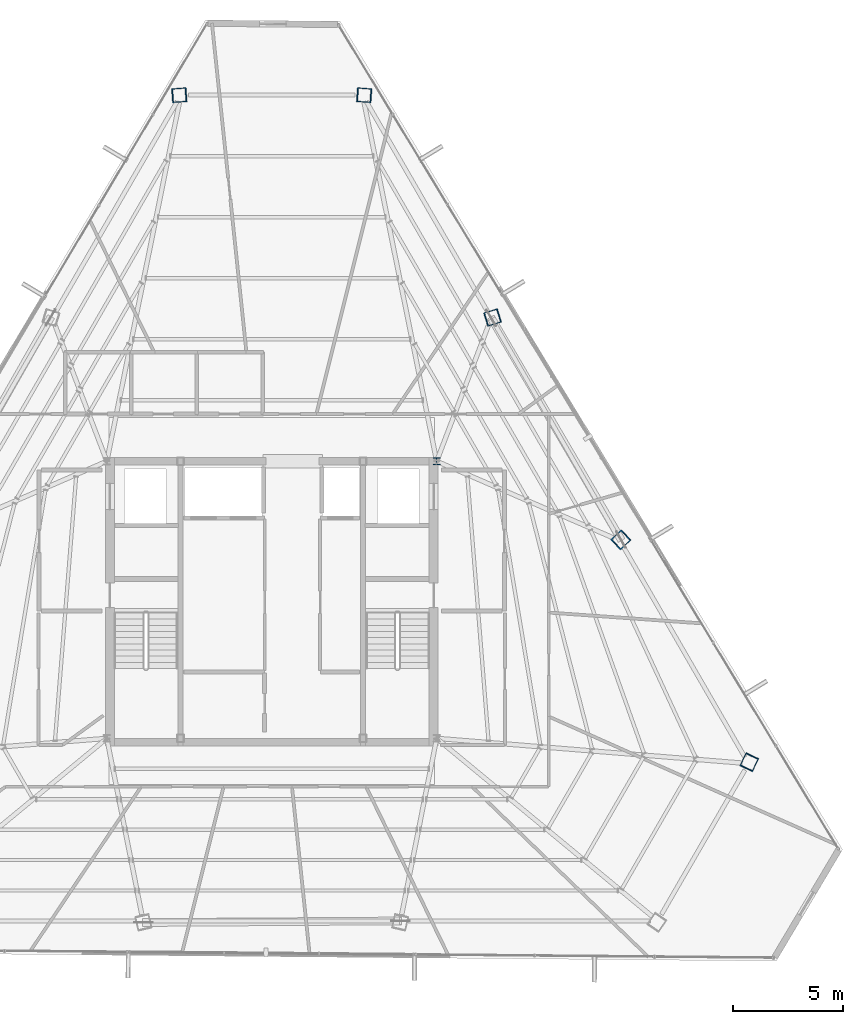
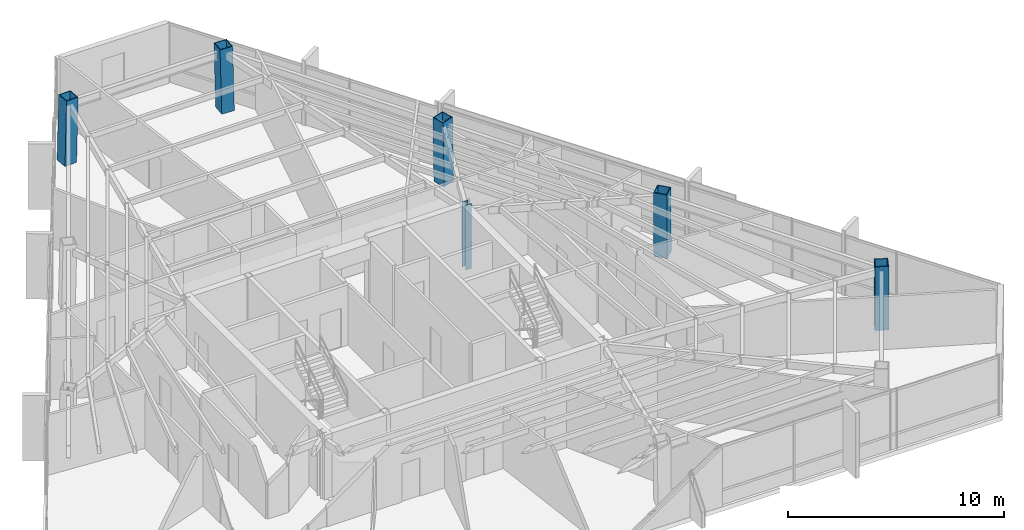
# One storey, part 2 of 45: 6 columns.
"""IFC4 building model written with IfcOpenShell, lengths in metres."""

from ifc_helpers import new_model, si_unit, direction, frame, origin, origin_2d, place, context, subcontext, project, spatial, hollow_rectangle, i_section, extrude, source, transform, mapped, material, material_profile, profile_set, type_object, type_shapes, element, save


model = new_model("IFC4")

# Units and contexts
model_context = context("Model", 3, precision=1e-05, world=origin(), true_north=direction((0.0, 1.0)))
body_context = subcontext(model_context, "Body", "Model", "MODEL_VIEW")
ifc_project = project(units=[si_unit("LENGTHUNIT", "METRE"), si_unit("AREAUNIT", "SQUARE_METRE"), si_unit("VOLUMEUNIT", "CUBIC_METRE"), si_unit("PLANEANGLEUNIT", "RADIAN"), si_unit("MASSUNIT", "GRAM", prefix="KILO")], contexts=[model_context])

# Site, building, storey
site_placement = place(None, origin())
site = spatial("IfcSite", under=ifc_project, at=site_placement, CompositionType="ELEMENT")
building_placement = place(site_placement, origin())
building = spatial("IfcBuilding", under=site, at=building_placement, Name="Caelisora Broadcast Tower", CompositionType="ELEMENT")
storey_placement = place(building_placement, frame((0.0, 0.0, 240.800048828125)))
storey = spatial("IfcBuildingStorey", under=building, at=storey_placement, Name="L63", CompositionType="ELEMENT", Elevation=240.800048828125)

# Columns
ifc_material_1 = material(Name="Steel Grade 350 (AS/NZS 3679.1)", Category="steel")
ifc_material_profile_1 = material_profile(ifc_material_1, i_section(OverallWidth=0.31103515625, OverallDepth=0.3271484375, WebThickness=0.015625, FlangeThickness=0.02490234375, at=origin_2d()), Name="Steel Grade 350 (AS/NZS 3679.1)")
ifc_profile_set_1 = profile_set([ifc_material_profile_1], Name="Steel Grade 350 (AS/NZS 3679.1)")
column_type_1 = type_object("IfcColumnType", Name="CC03", PredefinedType="COLUMN", material=ifc_profile_set_1)
shared_shape_1 = source(origin(), body_context, "Body", "SweptSolid", [
    extrude(i_section(OverallWidth=0.31103515625, OverallDepth=0.3271484375, WebThickness=0.015625, FlangeThickness=0.02490234375, at=origin_2d()), origin(), (0.0, 0.0, 1.0), 3.64990234375),
])
type_shapes(column_type_1, [shared_shape_1])
column_placement = place(storey_placement, frame((45.5, 30.0, 0.0), z_axis=(0.0, 0.0, 1.0), x_axis=(1.0, 0.0, 0.0)))
element("IfcColumn", 1, at=column_placement, inside=storey, type_object=column_type_1, Name="L63 column CC03", PredefinedType="COLUMN", context=body_context, shape_type="MappedRepresentation", body=[
    mapped(shared_shape_1, transform((0.0, 0.0, 0.0), scale=1.0)),
])
ifc_material_2 = material(Name="Steel Grade 350 L15 (AS/NZS 3678)", Category="steel")
ifc_material_profile_2 = material_profile(ifc_material_2, hollow_rectangle(XDim=0.64990234375, YDim=0.64990234375, WallThickness=0.0400390625, at=origin_2d()), Name="Steel Grade 350 L15 (AS/NZS 3678)")
ifc_profile_set_2 = profile_set([ifc_material_profile_2], Name="Steel Grade 350 L15 (AS/NZS 3678)")
column_type_2 = type_object("IfcColumnType", Name="MC06", PredefinedType="COLUMN", material=ifc_profile_set_2)
shared_shape_2 = source(origin(), body_context, "Body", "SweptSolid", [
    extrude(hollow_rectangle(XDim=0.64990234375, YDim=0.64990234375, WallThickness=0.0400390625, at=origin_2d()), origin(), (0.0, 0.0, 1.0), 3.65087890625),
])
for number, where, z_axis, x_axis, name in (
    (2, (42.218505859375, 46.647216796875, 0.0), (-0.023805924479, 0.001738634934, 0.999715086966), (-0.072839705548, -0.997343660578, 0.0), "L63 column MC06"),
    (3, (33.781494140625, 46.647216796875, 0.0), (0.023805924479, 0.001738634934, 0.999715086966), (-0.072839705548, 0.997343660578, 0.0), "L63 column MC06"),
    (4, (59.722412109375, 16.329833984375, 0.0), (-0.010431795422, -0.021532295679, 0.999713727968), (0.899947055326, -0.435999194506, 0.0), "L63 column MC06"),
):
    element("IfcColumn", number, at=place(storey_placement, frame(where, z_axis=z_axis, x_axis=x_axis)), inside=storey, type_object=column_type_2, Name=name, PredefinedType="COLUMN", context=body_context, shape_type="MappedRepresentation", body=[
        mapped(shared_shape_2, transform((0.0, 0.0, 0.0), scale=1.0)),
    ])
shared_shape_3 = source(origin(), body_context, "Body", "SweptSolid", [
    extrude(hollow_rectangle(XDim=0.64990234375, YDim=0.64990234375, WallThickness=0.0400390625, at=origin_2d()), origin(), (0.0, 0.0, 1.0), 3.650634765625),
])
type_shapes(column_type_2, [shared_shape_2, shared_shape_3])
for number, where, z_axis, x_axis, name in (
    (5, (53.8876953125, 26.435546875, 0.0), (-0.014846452328, -0.013776437746, 0.99979487527), (0.68019775991, -0.733028653883, 0.0), "L63 column MC06"),
    (6, (48.05322265625, 36.54150390625, 0.0), (-0.019393993486, -0.006018825565, 0.999793802119), (0.296399214872, -0.955064136811, 0.0), "L63 column MC06"),
):
    element("IfcColumn", number, at=place(storey_placement, frame(where, z_axis=z_axis, x_axis=x_axis)), inside=storey, type_object=column_type_2, Name=name, PredefinedType="COLUMN", context=body_context, shape_type="MappedRepresentation", body=[
        mapped(shared_shape_3, transform((0.0, 0.0, 0.0), scale=1.0)),
    ])

save(model, "model.ifc")
